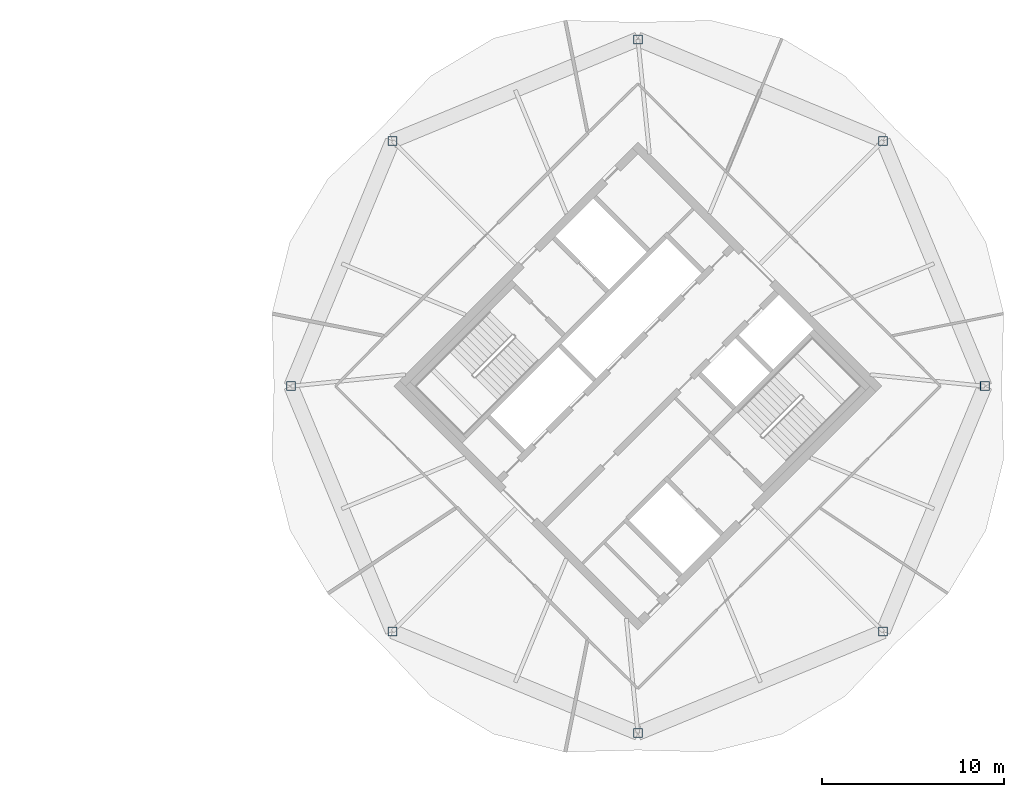
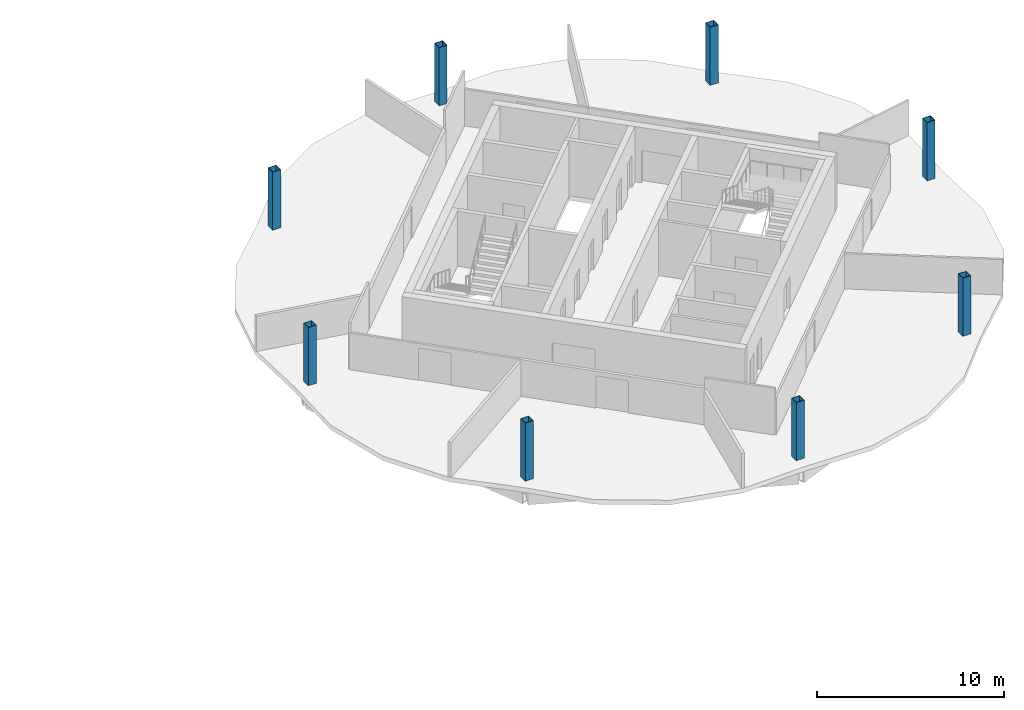
# One storey, part 2 of 10: 8 columns.
"""IFC4 building model written with IfcOpenShell, lengths in metres."""

from ifc_helpers import new_model, si_unit, direction, frame, origin, origin_2d, place, context, subcontext, project, spatial, hollow_rectangle, extrude, material, material_profile, profile_set, type_object, element, save


model = new_model("IFC4")

# Units and contexts
model_context = context("Model", 3, precision=1e-05, world=origin(), true_north=direction((0.0, 1.0)))
body_context = subcontext(model_context, "Body", "Model", "MODEL_VIEW")
ifc_project = project(units=[si_unit("LENGTHUNIT", "METRE"), si_unit("AREAUNIT", "SQUARE_METRE"), si_unit("VOLUMEUNIT", "CUBIC_METRE"), si_unit("PLANEANGLEUNIT", "RADIAN"), si_unit("MASSUNIT", "GRAM", prefix="KILO")], contexts=[model_context])

# Site, building, storey
site_placement = place(None, origin())
site = spatial("IfcSite", under=ifc_project, at=site_placement, CompositionType="ELEMENT")
building_placement = place(site_placement, origin())
building = spatial("IfcBuilding", under=site, at=building_placement, Name="Ogive Gate Towers", CompositionType="ELEMENT")
storey_placement = place(building_placement, frame((0.0, 0.0, 236.699951171875)))
storey = spatial("IfcBuildingStorey", under=building, at=storey_placement, Name="L56", CompositionType="ELEMENT", Elevation=236.699951171875)

# Columns
ifc_material = material(Name="Steel SM460", Category="steel")
ifc_material_profile = material_profile(ifc_material, hollow_rectangle(XDim=0.5, YDim=0.5, WallThickness=0.030029296875, at=origin_2d()), Name="BX 500x500x30")
ifc_profile_set = profile_set([ifc_material_profile], Name="Steel SM460")
column_type = type_object("IfcColumnType", Name="Perimeter post BX 500x500x30", PredefinedType="COLUMN", material=ifc_profile_set)
for number, where, z_axis, x_axis, name in (
    (1, (55.110107421875, 0.0, 0.0), (0.0, 0.0, 1.0), (1.0, 0.0, 0.0), "T2/L56/SCL001"),
    (2, (49.5126953125, 13.5126953125, 0.0), (0.0, 0.0, 1.0), (1.0, 0.0, 0.0), "T2/L56/SCL002"),
    (3, (36.0, 19.110107421875, 0.0), (0.0, 0.0, 1.0), (1.0, 0.0, 0.0), "T2/L56/SCL003"),
    (4, (22.4873046875, 13.5126953125, 0.0), (0.0, 0.0, 1.0), (1.0, 0.0, 0.0), "T2/L56/SCL004"),
    (5, (16.889892578125, 0.0, 0.0), (0.0, 0.0, 1.0), (1.0, 0.0, 0.0), "T2/L56/SCL005"),
    (6, (22.4873046875, -13.5126953125, 0.0), (0.0, 0.0, 1.0), (1.0, 0.0, 0.0), "T2/L56/SCL006"),
    (7, (36.0, -19.110107421875, 0.0), (0.0, 0.0, 1.0), (1.0, 0.0, 0.0), "T2/L56/SCL007"),
    (8, (49.5126953125, -13.5126953125, 0.0), (0.0, 0.0, 1.0), (1.0, 0.0, 0.0), "T2/L56/SCL008"),
):
    element("IfcColumn", number, at=place(storey_placement, frame(where, z_axis=z_axis, x_axis=x_axis)), inside=storey, type_object=column_type, Name=name, PredefinedType="COLUMN", context=body_context, shape_type="SweptSolid", body=[
        extrude(hollow_rectangle(XDim=0.5, YDim=0.5, WallThickness=0.030029296875, at=origin_2d()), origin(), (0.0, 0.0, 1.0), 3.800048828125),
    ])

save(model, "model.ifc")
